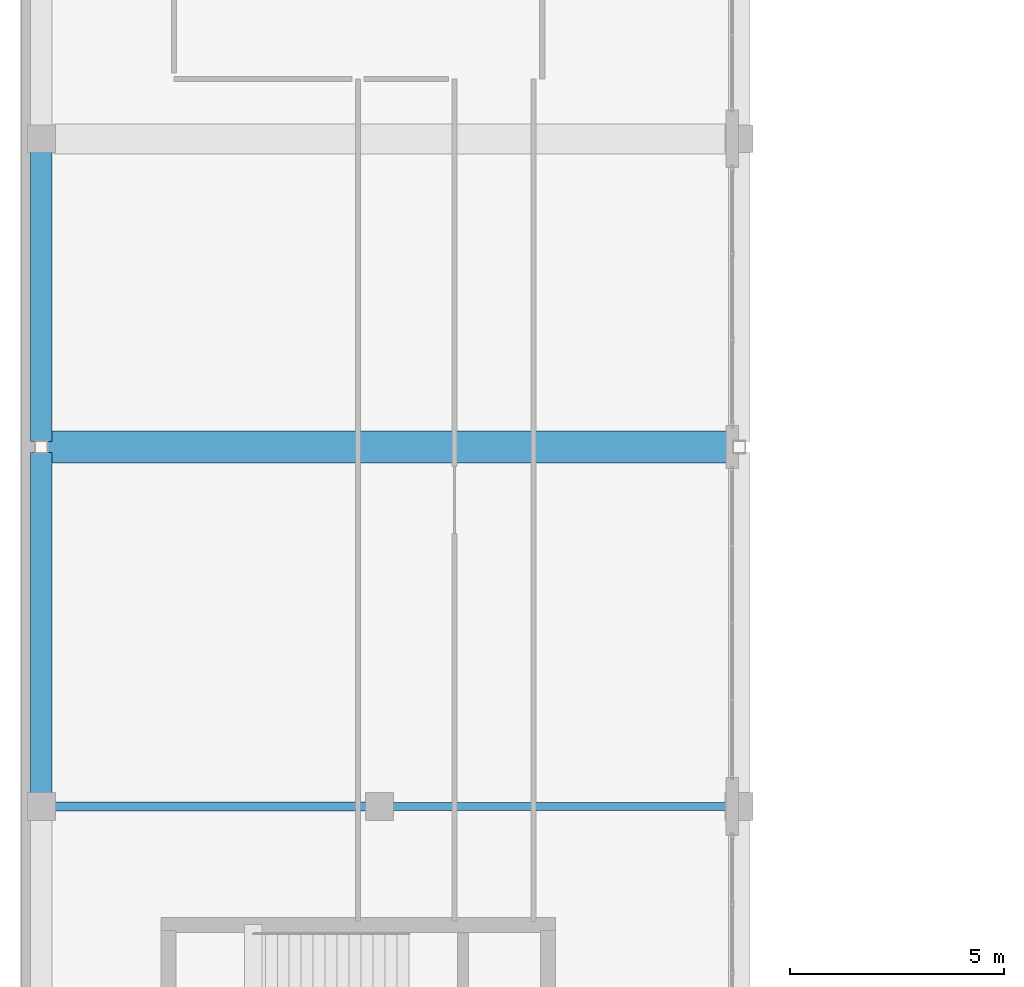
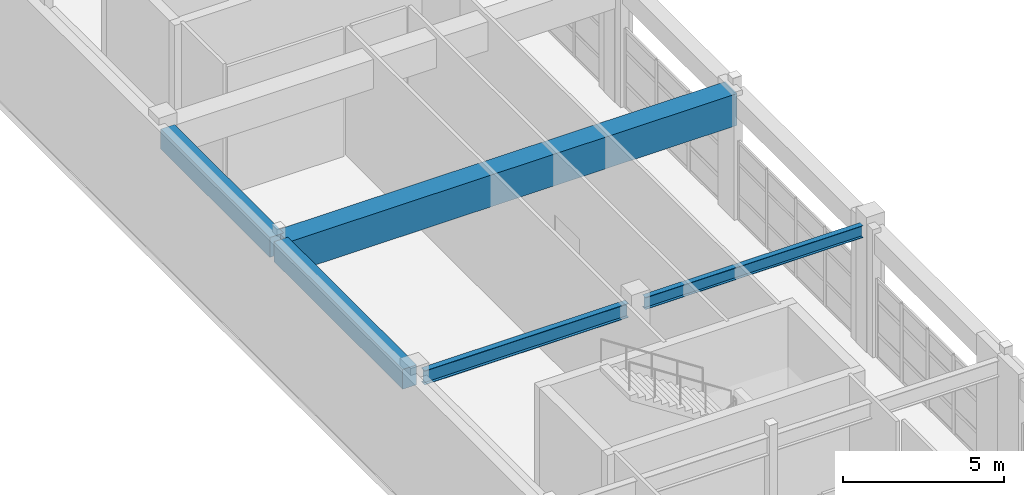
# One storey, part 20 of 78: 5 beams.
"""IFC4 building model written with IfcOpenShell, lengths in metres."""

from ifc_helpers import new_model, si_unit, direction, frame, origin, origin_2d, place, context, subcontext, project, spatial, rectangle, i_section, extrude, material, material_profile, profile_set, type_object, element, save


model = new_model("IFC4")

# Units and contexts
model_context = context("Model", 3, precision=1e-05, world=origin(), true_north=direction((0.0, 1.0)))
body_context = subcontext(model_context, "Body", "Model", "MODEL_VIEW")
ifc_project = project(units=[si_unit("LENGTHUNIT", "METRE"), si_unit("AREAUNIT", "SQUARE_METRE"), si_unit("VOLUMEUNIT", "CUBIC_METRE"), si_unit("PLANEANGLEUNIT", "RADIAN"), si_unit("MASSUNIT", "GRAM", prefix="KILO")], contexts=[model_context])

# Site, building, storey
site_placement = place(None, origin())
site = spatial("IfcSite", under=ifc_project, at=site_placement, CompositionType="ELEMENT")
building_placement = place(site_placement, origin())
building = spatial("IfcBuilding", under=site, at=building_placement, Name="Quendrovan Civic Courthouse", CompositionType="ELEMENT")
storey_placement = place(building_placement, frame((0.0, 0.0, 20.39990234375)))
storey = spatial("IfcBuildingStorey", under=building, at=storey_placement, Name="L05", CompositionType="ELEMENT", Elevation=20.39990234375)

# Beams
ifc_material_1 = material(Name="Post-tensioned concrete C50/60", Category="concrete")
ifc_material_profile_1 = material_profile(ifc_material_1, rectangle(XDim=0.75, YDim=1.199951171875, at=origin_2d()), Name="PT-GIRD-750x1200")
ifc_profile_set_1 = profile_set([ifc_material_profile_1], Name="Post-tensioned concrete C50/60")
beam_type_1 = type_object("IfcBeamType", Name="BM-PT1200", PredefinedType="BEAM", material=ifc_profile_set_1)
beam_1_placement = place(storey_placement, frame((0.6298828125, 73.199951171875, 4.06005859375), z_axis=(1.0, 0.0, 0.0), x_axis=(0.0, 1.0, 0.0)))
element("IfcBeam", 1, at=beam_1_placement, inside=storey, type_object=beam_type_1, Name="L05 Girder X1031", PredefinedType="BEAM", context=body_context, shape_type="SweptSolid", body=[
    extrude(rectangle(XDim=0.75, YDim=1.199951171875, at=origin_2d()), origin(), (0.0, 0.0, 1.0), 16.0400390625),
])
ifc_material_2 = material(Name="Concrete C40/50", Category="concrete")
ifc_material_profile_2 = material_profile(ifc_material_2, rectangle(XDim=0.5, YDim=0.75, at=origin_2d()), Name="RC-BM-500x750")
ifc_profile_set_2 = profile_set([ifc_material_profile_2], Name="Concrete C40/50")
beam_type_2 = type_object("IfcBeamType", Name="BM-RC750", PredefinedType="SPANDREL", material=ifc_profile_set_2)
beam_2_placement = place(storey_placement, frame((0.5, 65.10498046875, 4.28515625), z_axis=(0.0, 1.0, 0.0), x_axis=(-1.0, 0.0, 0.0)))
element("IfcBeam", 2, at=beam_2_placement, inside=storey, type_object=beam_type_2, Name="L05 Girder Y1057", PredefinedType="SPANDREL", context=body_context, shape_type="SweptSolid", body=[
    extrude(rectangle(XDim=0.5, YDim=0.75, at=origin_2d()), origin(), (0.0, 0.0, 1.0), 7.965087890625),
])
beam_3_placement = place(storey_placement, frame((0.5, 73.330078125, 4.28515625), z_axis=(0.0, 1.0, 0.0), x_axis=(-1.0, 0.0, 0.0)))
element("IfcBeam", 3, at=beam_3_placement, inside=storey, type_object=beam_type_2, Name="L05 Girder Y1058", PredefinedType="SPANDREL", context=body_context, shape_type="SweptSolid", body=[
    extrude(rectangle(XDim=0.5, YDim=0.75, at=origin_2d()), origin(), (0.0, 0.0, 1.0), 6.764892578125),
])
ifc_material_3 = material(Name="Steel ASTM A992 Grade 50", Category="steel")
ifc_material_profile_3 = material_profile(ifc_material_3, i_section(OverallWidth=0.18994140625, OverallDepth=0.45703125, WebThickness=0.009033203125, FlangeThickness=0.014404296875, at=origin_2d()), Name="W18X50")
ifc_profile_set_3 = profile_set([ifc_material_profile_3], Name="Steel ASTM A992 Grade 50")
beam_type_3 = type_object("IfcBeamType", Name="BM-STL-W18", PredefinedType="JOIST", material=ifc_profile_set_3)
beam_4_placement = place(storey_placement, frame((8.705078125, 64.800048828125, 4.431640625), z_axis=(1.0, 0.0, 0.0), x_axis=(0.0, 1.0, 0.0)))
element("IfcBeam", 4, at=beam_4_placement, inside=storey, type_object=beam_type_3, Name="L05 Girder X1030", PredefinedType="JOIST", context=body_context, shape_type="SweptSolid", body=[
    extrude(i_section(OverallWidth=0.18994140625, OverallDepth=0.45703125, WebThickness=0.009033203125, FlangeThickness=0.014404296875, at=origin_2d()), origin(), (0.0, 0.0, 1.0), 7.7900390625),
])
ifc_material_profile_4 = material_profile(ifc_material_3, i_section(OverallWidth=0.208984375, OverallDepth=0.532958984375, WebThickness=0.01025390625, FlangeThickness=0.015625, at=origin_2d()), Name="W21X62")
ifc_profile_set_4 = profile_set([ifc_material_profile_4], Name="Steel ASTM A992 Grade 50")
beam_type_4 = type_object("IfcBeamType", Name="BM-STL-W21", PredefinedType="JOIST", material=ifc_profile_set_4)
beam_5_placement = place(storey_placement, frame((0.804931640625, 64.800048828125, 4.3935546875), z_axis=(1.0, 0.0, 0.0), x_axis=(0.0, 1.0, 0.0)))
element("IfcBeam", 5, at=beam_5_placement, inside=storey, type_object=beam_type_4, Name="L05 Girder X1029", PredefinedType="JOIST", context=body_context, shape_type="SweptSolid", body=[
    extrude(i_section(OverallWidth=0.208984375, OverallDepth=0.532958984375, WebThickness=0.01025390625, FlangeThickness=0.015625, at=origin_2d()), origin(), (0.0, 0.0, 1.0), 7.2900390625),
])

save(model, "model.ifc")
